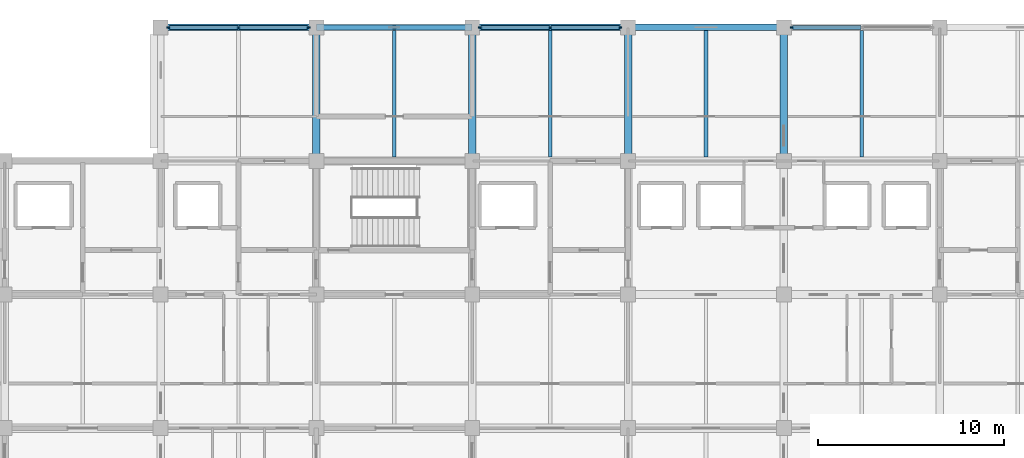
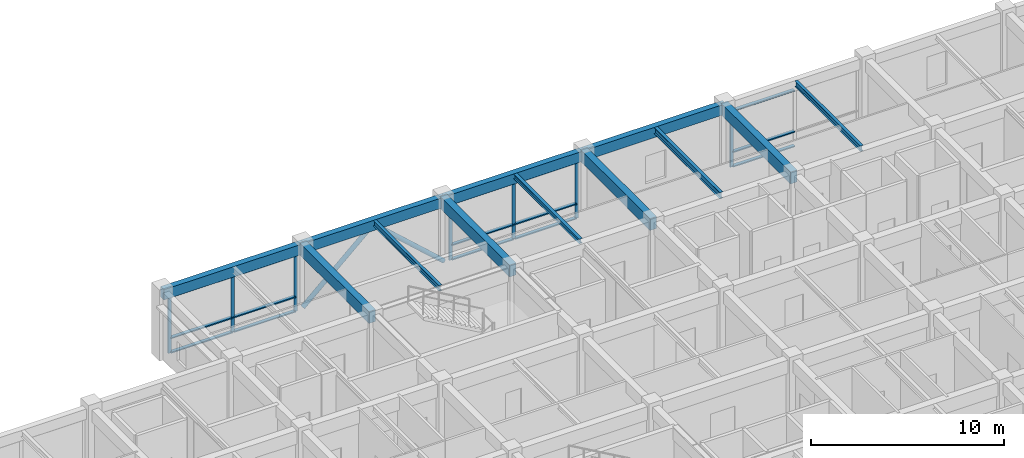
# One storey, part 7 of 30: 24 members, 12 beams, 3 elements without a shape of their own.
"""IFC4 building model written with IfcOpenShell, lengths in metres."""

import ifcopenshell
import ifcopenshell.guid

model = None  # the IFC model being written
_history = None  # IfcOwnerHistory: only IFC2X3 demands one
_inside = {}  # id of a spatial element -> (the spatial element, [elements in it])
_under = {}  # id of a project, library or spatial element -> (it, [spatial elements below it])
_declared = {}  # id of a project -> (the project, [libraries it declares])
_typed = {}  # id of a type object -> (the type object, [elements of that type])
_made_of = {}  # id of a material, layer set ... -> (it, [elements and type objects made of it])


def new_model(schema):
    """Start an empty IFC model of exactly this schema.

    Asked for "IFC4X3", IfcOpenShell would pick the latest addendum, in which some entities
    have other attributes; the version numbers below select the first issue.
    IFC2X3 requires an IfcOwnerHistory on every rooted entity: one is made here for all.
    """
    global model, _history
    if schema == "IFC4X3":
        model = ifcopenshell.file(schema_version=(4, 3, 0, 0))
    else:
        model = ifcopenshell.file(schema=schema)
    _inside.clear()
    _under.clear()
    _declared.clear()
    _typed.clear()
    _made_of.clear()
    _history = None
    if model.schema == "IFC2X3":
        org = make("IfcOrganization", Name="unknown")
        user = make(
            "IfcPersonAndOrganization",
            ThePerson=make("IfcPerson", FamilyName="unknown"),
            TheOrganization=org,
        )
        app = make(
            "IfcApplication",
            ApplicationDeveloper=org,
            Version="unknown",
            ApplicationFullName="unknown",
            ApplicationIdentifier="unknown",
        )
        _history = make(
            "IfcOwnerHistory",
            OwningUser=user,
            OwningApplication=app,
            ChangeAction="ADDED",
            CreationDate=0,
        )
    return model


def make(cls, **values):
    """One entity of the class cls with the attributes given. An attribute that is None is left unset."""
    return model.create_entity(
        cls, **{name: value for name, value in values.items() if value is not None}
    )


def rooted(cls, **values):
    """An entity with a GlobalId (a new one), such as an element, a storey or a relation."""
    return make(cls, GlobalId=ifcopenshell.guid.new(), OwnerHistory=_history, **values)


def si_unit(unit_type, name, prefix=None):
    """IfcSIUnit, for example si_unit("LENGTHUNIT", "METRE", prefix="MILLI")."""
    return make("IfcSIUnit", UnitType=unit_type, Prefix=prefix, Name=name)


def assignment(units):
    """IfcUnitAssignment: the units of a project."""
    return None if units is None else make("IfcUnitAssignment", Units=units)


def point(xyz):
    """IfcCartesianPoint."""
    return None if xyz is None else make("IfcCartesianPoint", Coordinates=xyz)


def direction(xyz):
    """IfcDirection."""
    return None if xyz is None else make("IfcDirection", DirectionRatios=xyz)


def frame(location, z_axis=None, x_axis=None):
    """IfcAxis2Placement3D, a coordinate frame: its origin and axes. An axis left out is left unset."""
    return make(
        "IfcAxis2Placement3D",
        Location=point(location),
        Axis=direction(z_axis),
        RefDirection=direction(x_axis),
    )


def frame_2d(location, x_axis=None):
    """IfcAxis2Placement2D, a coordinate frame in the plane: its origin and x axis."""
    return make(
        "IfcAxis2Placement2D", Location=point(location), RefDirection=direction(x_axis)
    )


def origin():
    """The frame at (0, 0, 0) with its axes left unset."""
    return frame((0.0, 0.0, 0.0))


def origin_2d():
    """The frame at (0, 0) in the plane with its x axis left unset."""
    return frame_2d((0.0, 0.0))


def place(relative_to, where):
    """IfcLocalPlacement: puts the frame where relative to a parent placement (None: the world)."""
    return make(
        "IfcLocalPlacement", PlacementRelTo=relative_to, RelativePlacement=where
    )


def context(
    kind, dimensions, precision=None, world=None, true_north=None, identifier=None
):
    """IfcGeometricRepresentationContext, for example the 3D "Model" context."""
    return make(
        "IfcGeometricRepresentationContext",
        ContextIdentifier=identifier,
        ContextType=kind,
        CoordinateSpaceDimension=dimensions,
        Precision=precision,
        WorldCoordinateSystem=world,
        TrueNorth=true_north,
    )


def subcontext(parent, identifier, kind, view, scale=None):
    """IfcGeometricRepresentationSubContext, for example "Body" below "Model"."""
    return make(
        "IfcGeometricRepresentationSubContext",
        ContextIdentifier=identifier,
        ContextType=kind,
        ParentContext=parent,
        TargetScale=scale,
        TargetView=view,
    )


def project(units=None, contexts=None):
    """IfcProject with its units and contexts."""
    return rooted(
        "IfcProject",
        Name="project",
        RepresentationContexts=contexts,
        UnitsInContext=assignment(units),
    )


def spatial(cls, under=None, at=None, **own):
    """A site, building, storey or space (cls), placed at a placement, below another one or the project."""
    s = rooted(cls, ObjectPlacement=at, **own)
    if under is not None:
        _under.setdefault(under.id(), (under, []))[1].append(s)
    return s


def profile(cls, at=None, kind="AREA", **sizes):
    """A parametric profile (cls). Its sizes go by their IFC names, for example OverallWidth=200.0."""
    return make(cls, ProfileType=kind, Position=at, **sizes)


def rectangle(**sizes):
    """IfcRectangleProfileDef."""
    return profile("IfcRectangleProfileDef", **sizes)


def hollow_circle(**sizes):
    """IfcCircleHollowProfileDef."""
    return profile("IfcCircleHollowProfileDef", **sizes)


def i_section(**sizes):
    """IfcIShapeProfileDef."""
    return profile("IfcIShapeProfileDef", **sizes)


def extrude(swept, where, along, depth):
    """IfcExtrudedAreaSolid: the profile swept, set in the frame where, extruded along a direction by depth."""
    return make(
        "IfcExtrudedAreaSolid",
        SweptArea=swept,
        Position=where,
        ExtrudedDirection=direction(along),
        Depth=depth,
    )


def shape(context_of_items, identifier, shape_type, items):
    """IfcShapeRepresentation: the items that make up one representation, for example the "Body"."""
    return make(
        "IfcShapeRepresentation",
        ContextOfItems=context_of_items,
        RepresentationIdentifier=identifier,
        RepresentationType=shape_type,
        Items=items,
    )


def material(Name=None, Category=None):
    """IfcMaterial."""
    return make("IfcMaterial", Name=Name, Category=Category)


def layer(
    of_material, thickness, ventilated=None, Name=None, Category=None, Priority=None
):
    """IfcMaterialLayer: one layer of a wall or slab, of a material (None: an air gap)."""
    return make(
        "IfcMaterialLayer",
        Material=of_material,
        LayerThickness=thickness,
        IsVentilated=ventilated,
        Name=Name,
        Category=Category,
        Priority=Priority,
    )


def layer_set(layers, Name=None):
    """IfcMaterialLayerSet."""
    return make("IfcMaterialLayerSet", MaterialLayers=layers, LayerSetName=Name)


def material_profile(
    of_material, cross_section, Name=None, Category=None, Priority=None
):
    """IfcMaterialProfile: a cross section and its material."""
    return make(
        "IfcMaterialProfile",
        Name=Name,
        Material=of_material,
        Profile=cross_section,
        Priority=Priority,
        Category=Category,
    )


def profile_set(profiles, Name=None, composite=None):
    """IfcMaterialProfileSet."""
    return make(
        "IfcMaterialProfileSet",
        Name=Name,
        MaterialProfiles=profiles,
        CompositeProfile=composite,
    )


def made_of(thing, what):
    """Note that an element or type object is made of a material, layer set ...; save() writes the relation."""
    if what is not None:
        _made_of.setdefault(what.id(), (what, []))[1].append(thing)
    return thing


def type_object(cls, material=None, **own):
    """A type object (cls), such as IfcWallType, which elements share."""
    return made_of(rooted(cls, **own), material)


def element(
    cls,
    number,
    at=None,
    inside=None,
    cuts=None,
    type_object=None,
    material=None,
    context=None,
    identifier="Body",
    shape_type=None,
    held_by="IfcProductDefinitionShape",
    body=None,
    shapes=None,
    **own,
):
    """One element of the class cls, such as IfcWall. Its Tag is "e" and its number.

    at: its placement. inside: the storey or other place that contains it. cuts: it is an
    opening in that element (IfcRelVoidsElement). A single representation is given by context,
    identifier, shape_type and body (its items); several are given by shapes. held_by: the class
    of the entity that holds the representations. save() writes the other relations.
    """
    e = rooted(cls, Tag="e%d" % number, ObjectPlacement=at, **own)
    if body is not None:
        shapes = [shape(context, identifier, shape_type, body)]
    if shapes is not None:
        e.Representation = make(held_by, Representations=shapes)
    if inside is not None:
        _inside.setdefault(inside.id(), (inside, []))[1].append(e)
    if cuts is not None:
        rooted(
            "IfcRelVoidsElement", RelatingBuildingElement=cuts, RelatedOpeningElement=e
        )
    if type_object is not None:
        _typed.setdefault(type_object.id(), (type_object, []))[1].append(e)
    return made_of(e, material)


def aggregate(whole, parts):
    """IfcRelAggregates: a whole, such as a stair, and the parts it consists of."""
    return rooted("IfcRelAggregates", RelatingObject=whole, RelatedObjects=parts)


def save(model, path):
    """Write the relations noted so far, then the file.

    IfcRelAggregates (storeys below a building ...), IfcRelContainedInSpatialStructure (elements
    in a storey), IfcRelDefinesByType, IfcRelAssociatesMaterial and IfcRelDeclares: one each for
    every whole, place, type object, material and project.
    """
    for whole, parts in _under.values():
        aggregate(whole, parts)
    for where, things in _inside.values():
        rooted(
            "IfcRelContainedInSpatialStructure",
            RelatedElements=things,
            RelatingStructure=where,
        )
    for kind, things in _typed.values():
        rooted("IfcRelDefinesByType", RelatedObjects=things, RelatingType=kind)
    for what, things in _made_of.values():
        rooted("IfcRelAssociatesMaterial", RelatedObjects=things, RelatingMaterial=what)
    for by, libraries in _declared.values():
        rooted("IfcRelDeclares", RelatingContext=by, RelatedDefinitions=libraries)
    model.write(path)


model = new_model("IFC4")

# Units and contexts
model_context = context("Model", 3, precision=1e-05, world=origin(), true_north=direction((0.0, 1.0)))
body_context = subcontext(model_context, "Body", "Model", "MODEL_VIEW")
ifc_project = project(units=[si_unit("LENGTHUNIT", "METRE"), si_unit("AREAUNIT", "SQUARE_METRE"), si_unit("VOLUMEUNIT", "CUBIC_METRE"), si_unit("PLANEANGLEUNIT", "RADIAN"), si_unit("MASSUNIT", "GRAM", prefix="KILO")], contexts=[model_context])

# Site, building, storey
site_placement = place(None, origin())
site = spatial("IfcSite", under=ifc_project, at=site_placement, CompositionType="ELEMENT")
building_placement = place(site_placement, origin())
building = spatial("IfcBuilding", under=site, at=building_placement, Name="Chengyuan Square Courthouse", CompositionType="ELEMENT")
storey_placement = place(building_placement, frame((0.0, 0.0, 30.60009765625)))
storey = spatial("IfcBuildingStorey", under=building, at=storey_placement, Name="L07", CompositionType="ELEMENT", Elevation=30.60009765625)

# Beams
ifc_material_1 = material(Name="Concrete C40", Category="concrete")
ifc_material_profile_1 = material_profile(ifc_material_1, rectangle(XDim=0.39990234375, YDim=0.75, at=origin_2d()), Name="RC-BM-400x750")
ifc_profile_set_1 = profile_set([ifc_material_profile_1], Name="Concrete C40")
beam_type_1 = type_object("IfcBeamType", Name="BM-02", PredefinedType="USERDEFINED", material=ifc_profile_set_1)
for number, where, z_axis, x_axis, name in (
    (1, (58.800048828125, 108.0, 3.864990234375), (0.0, 1.0, 0.0), (-1.0, 0.0, 0.0), "Girder BM-L07-3669"),
    (2, (67.199951171875, 108.0, 3.864990234375), (0.0, 1.0, 0.0), (-1.0, 0.0, 0.0), "Girder BM-L07-3674"),
    (3, (75.60009765625, 108.0, 3.864990234375), (0.0, 1.0, 0.0), (-1.0, 0.0, 0.0), "Girder BM-L07-3679"),
    (4, (84.0, 108.0, 3.864990234375), (0.0, 1.0, 0.0), (-1.0, 0.0, 0.0), "Girder BM-L07-3684"),
):
    element("IfcBeam", number, at=place(storey_placement, frame(where, z_axis=z_axis, x_axis=x_axis)), inside=storey, type_object=beam_type_1, Name=name, ObjectType="GIRDER", PredefinedType="USERDEFINED", context=body_context, shape_type="SweptSolid", body=[
        extrude(rectangle(XDim=0.39990234375, YDim=0.75, at=origin_2d()), origin(), (0.0, 0.0, 1.0), 7.199951171875),
    ])
ifc_material_profile_2 = material_profile(ifc_material_1, rectangle(XDim=0.35009765625, YDim=0.64990234375, at=origin_2d()), Name="RC-BM-350x650")
ifc_profile_set_2 = profile_set([ifc_material_profile_2], Name="Concrete C40")
beam_type_2 = type_object("IfcBeamType", Name="BM-03", PredefinedType="SPANDREL", material=ifc_profile_set_2)
beam_1_placement = place(storey_placement, frame((50.39990234375, 115.199951171875, 3.914794921875), z_axis=(1.0, 0.0, 0.0), x_axis=(0.0, 1.0, 0.0)))
element("IfcBeam", 5, at=beam_1_placement, inside=storey, type_object=beam_type_2, Name="Girder BM-L07-3643", PredefinedType="SPANDREL", context=body_context, shape_type="SweptSolid", body=[
    extrude(rectangle(XDim=0.35009765625, YDim=0.64990234375, at=origin_2d()), origin(), (0.0, 0.0, 1.0), 8.400146484375),
])
beam_2_placement = place(storey_placement, frame((58.800048828125, 115.199951171875, 3.914794921875), z_axis=(1.0, 0.0, 0.0), x_axis=(0.0, 1.0, 0.0)))
element("IfcBeam", 6, at=beam_2_placement, inside=storey, type_object=beam_type_2, Name="Girder BM-L07-3644", PredefinedType="SPANDREL", context=body_context, shape_type="SweptSolid", body=[
    extrude(rectangle(XDim=0.35009765625, YDim=0.64990234375, at=origin_2d()), origin(), (0.0, 0.0, 1.0), 8.39990234375),
])
beam_3_placement = place(storey_placement, frame((67.199951171875, 115.199951171875, 3.914794921875), z_axis=(1.0, 0.0, 0.0), x_axis=(0.0, 1.0, 0.0)))
element("IfcBeam", 7, at=beam_3_placement, inside=storey, type_object=beam_type_2, Name="Girder BM-L07-3645", PredefinedType="SPANDREL", context=body_context, shape_type="SweptSolid", body=[
    extrude(rectangle(XDim=0.35009765625, YDim=0.64990234375, at=origin_2d()), origin(), (0.0, 0.0, 1.0), 8.400146484375),
])
beam_4_placement = place(storey_placement, frame((75.60009765625, 115.199951171875, 3.914794921875), z_axis=(1.0, 0.0, 0.0), x_axis=(0.0, 1.0, 0.0)))
element("IfcBeam", 8, at=beam_4_placement, inside=storey, type_object=beam_type_2, Name="Girder BM-L07-3646", PredefinedType="SPANDREL", context=body_context, shape_type="SweptSolid", body=[
    extrude(rectangle(XDim=0.35009765625, YDim=0.64990234375, at=origin_2d()), origin(), (0.0, 0.0, 1.0), 8.39990234375),
])
ifc_material_2 = material(Name="Steel Q355B", Category="steel")
ifc_material_profile_3 = material_profile(ifc_material_2, i_section(OverallWidth=0.199951171875, OverallDepth=0.39990234375, WebThickness=0.008056640625, FlangeThickness=0.012939453125, at=origin_2d()), Name="HN 400x200x8x13")
ifc_profile_set_3 = profile_set([ifc_material_profile_3], Name="Steel Q355B")
beam_type_3 = type_object("IfcBeamType", Name="BM-07", PredefinedType="BEAM", material=ifc_profile_set_3)
beam_5_placement = place(storey_placement, frame((79.800048828125, 108.22509765625, 4.039794921875), z_axis=(0.0, 1.0, 0.0), x_axis=(-1.0, 0.0, 0.0)))
element("IfcBeam", 9, at=beam_5_placement, inside=storey, type_object=beam_type_3, Name="Secondary Floor Beam SBM-L07-3740", PredefinedType="BEAM", context=body_context, shape_type="SweptSolid", body=[
    extrude(i_section(OverallWidth=0.199951171875, OverallDepth=0.39990234375, WebThickness=0.008056640625, FlangeThickness=0.012939453125, at=origin_2d()), origin(), (0.0, 0.0, 1.0), 6.7998046875),
])
ifc_material_profile_4 = material_profile(ifc_material_2, i_section(OverallWidth=0.175048828125, OverallDepth=0.35009765625, WebThickness=0.007080078125, FlangeThickness=0.010986328125, at=origin_2d()), Name="HN 350x175x7x11")
ifc_profile_set_4 = profile_set([ifc_material_profile_4], Name="Steel Q355B")
beam_type_4 = type_object("IfcBeamType", Name="BM-08", PredefinedType="BEAM", material=ifc_profile_set_4)
for number, where, z_axis, x_axis, name in (
    (10, (63.0, 108.22509765625, 4.06494140625), (0.0, 1.0, 0.0), (-1.0, 0.0, 0.0), "Secondary Floor Beam SBM-L07-3732"),
    (11, (88.199951171875, 108.22509765625, 4.06494140625), (0.0, 1.0, 0.0), (-1.0, 0.0, 0.0), "Secondary Floor Beam SBM-L07-3744"),
):
    element("IfcBeam", number, at=place(storey_placement, frame(where, z_axis=z_axis, x_axis=x_axis)), inside=storey, type_object=beam_type_4, Name=name, PredefinedType="BEAM", context=body_context, shape_type="SweptSolid", body=[
        extrude(i_section(OverallWidth=0.175048828125, OverallDepth=0.35009765625, WebThickness=0.007080078125, FlangeThickness=0.010986328125, at=origin_2d()), origin(), (0.0, 0.0, 1.0), 6.7998046875),
    ])
ifc_material_profile_5 = material_profile(ifc_material_2, i_section(OverallWidth=0.199951171875, OverallDepth=0.300048828125, WebThickness=0.008056640625, FlangeThickness=0.011962890625, at=origin_2d()), Name="HM 300x200x8x12")
ifc_profile_set_5 = profile_set([ifc_material_profile_5], Name="Steel Q355B")
beam_type_5 = type_object("IfcBeamType", Name="BM-09", PredefinedType="BEAM", material=ifc_profile_set_5)
beam_6_placement = place(storey_placement, frame((71.39990234375, 108.22509765625, 4.08984375), z_axis=(0.0, 1.0, 0.0), x_axis=(-1.0, 0.0, 0.0)))
element("IfcBeam", 12, at=beam_6_placement, inside=storey, type_object=beam_type_5, Name="Secondary Floor Beam SBM-L07-3736", PredefinedType="BEAM", context=body_context, shape_type="SweptSolid", body=[
    extrude(i_section(OverallWidth=0.199951171875, OverallDepth=0.300048828125, WebThickness=0.008056640625, FlangeThickness=0.011962890625, at=origin_2d()), origin(), (0.0, 0.0, 1.0), 6.7998046875),
])

# Members
ifc_material_profile_6 = material_profile(ifc_material_2, hollow_circle(Radius=0.136474609375, WallThickness=0.010009765625, at=origin_2d()), Name="CHS 273x10")
ifc_profile_set_6 = profile_set([ifc_material_profile_6], Name="Steel Q355B")
member_type_1 = type_object("IfcMemberType", Name="BR-01", PredefinedType="BRACE", material=ifc_profile_set_6)
for number, where, z_axis, x_axis, name in (
    (13, (58.800048828125, 115.199951171875, 0.099853515625), (0.742407252639, 0.0, 0.669948857174), (0.0, 1.0, 0.0), "Steel Chevron Brace BR-L07-025"),
    (14, (67.199951171875, 115.199951171875, 0.099853515625), (-0.742407252639, 0.0, 0.669948857174), (0.0, -1.0, 0.0), "Steel Chevron Brace BR-L07-026"),
):
    element("IfcMember", number, at=place(storey_placement, frame(where, z_axis=z_axis, x_axis=x_axis)), inside=storey, type_object=member_type_1, Name=name, PredefinedType="BRACE", context=body_context, shape_type="SweptSolid", body=[
        extrude(hollow_circle(Radius=0.136474609375, WallThickness=0.010009765625, at=origin_2d()), origin(), (0.0, 0.0, 1.0), 5.6572265625),
    ])

# Curtain wall, members
ifc_material_3 = material(Name="Unitised Aluminium and Triple Low-E Glass", Category="aluminium")
ifc_layer = layer(ifc_material_3, 0.199951171875)
ifc_layer_set = layer_set([ifc_layer], Name="Unitised Aluminium and Triple Low-E Glass")
curtain_wall_type = type_object("IfcCurtainWallType", Name="CW-19", PredefinedType="USERDEFINED", material=ifc_layer_set)
curtain_wall_1_placement = place(storey_placement, origin())
curtain_wall_1 = element("IfcCurtainWall", 15, at=curtain_wall_1_placement, inside=storey, type_object=curtain_wall_type, Name="Unitised Curtain Wall CW-L07-207", ObjectType="UNITISED CURTAIN WALL", PredefinedType="USERDEFINED")
ifc_material_4 = material(Name="Aluminium 6063-T6 Frame", Category="aluminium")
ifc_material_profile_7 = material_profile(ifc_material_4, rectangle(XDim=0.070068359375, YDim=0.199951171875, at=origin_2d()), Name="CW-MUL-70x200")
ifc_profile_set_7 = profile_set([ifc_material_profile_7], Name="Aluminium 6063-T6 Frame")
member_type_2 = type_object("IfcMemberType", Name="CWM-03", PredefinedType="MULLION", material=ifc_profile_set_7)
member_1_placement = place(storey_placement, frame((50.8349609375, 115.199951171875, 0.0), z_axis=(0.0, 0.0, 1.0), x_axis=(0.0, 1.0, 0.0)))
member_1 = element("IfcMember", 16, at=member_1_placement, type_object=member_type_2, Name="CW-19 mullion 1", PredefinedType="MULLION", context=body_context, shape_type="SweptSolid", body=[
    extrude(rectangle(XDim=0.070068359375, YDim=0.199951171875, at=origin_2d()), origin(), (0.0, 0.0, 1.0), 3.58984375),
])
member_2_placement = place(storey_placement, frame((54.60009765625, 115.199951171875, 0.0), z_axis=(0.0, 0.0, 1.0), x_axis=(0.0, 1.0, 0.0)))
member_2 = element("IfcMember", 17, at=member_2_placement, type_object=member_type_2, Name="CW-19 mullion 2", PredefinedType="MULLION", context=body_context, shape_type="SweptSolid", body=[
    extrude(rectangle(XDim=0.070068359375, YDim=0.199951171875, at=origin_2d()), origin(), (0.0, 0.0, 1.0), 3.58984375),
])
member_3_placement = place(storey_placement, frame((58.364990234375, 115.199951171875, 0.0), z_axis=(0.0, 0.0, 1.0), x_axis=(0.0, 1.0, 0.0)))
member_3 = element("IfcMember", 18, at=member_3_placement, type_object=member_type_2, Name="CW-19 mullion 3", PredefinedType="MULLION", context=body_context, shape_type="SweptSolid", body=[
    extrude(rectangle(XDim=0.070068359375, YDim=0.199951171875, at=origin_2d()), origin(), (0.0, 0.0, 1.0), 3.58984375),
])

curtain_wall_2_placement = place(storey_placement, origin())
curtain_wall_2 = element("IfcCurtainWall", 19, at=curtain_wall_2_placement, inside=storey, type_object=curtain_wall_type, Name="Unitised Curtain Wall CW-L07-210", ObjectType="UNITISED CURTAIN WALL", PredefinedType="USERDEFINED")
member_4_placement = place(storey_placement, frame((67.635009765625, 115.199951171875, 0.0), z_axis=(0.0, 0.0, 1.0), x_axis=(0.0, 1.0, 0.0)))
member_4 = element("IfcMember", 20, at=member_4_placement, type_object=member_type_2, Name="CW-19 mullion 1", PredefinedType="MULLION", context=body_context, shape_type="SweptSolid", body=[
    extrude(rectangle(XDim=0.070068359375, YDim=0.199951171875, at=origin_2d()), origin(), (0.0, 0.0, 1.0), 3.58984375),
])
member_5_placement = place(storey_placement, frame((71.39990234375, 115.199951171875, 0.0), z_axis=(0.0, 0.0, 1.0), x_axis=(0.0, 1.0, 0.0)))
member_5 = element("IfcMember", 21, at=member_5_placement, type_object=member_type_2, Name="CW-19 mullion 2", PredefinedType="MULLION", context=body_context, shape_type="SweptSolid", body=[
    extrude(rectangle(XDim=0.070068359375, YDim=0.199951171875, at=origin_2d()), origin(), (0.0, 0.0, 1.0), 3.58984375),
])
member_6_placement = place(storey_placement, frame((75.1650390625, 115.199951171875, 0.0), z_axis=(0.0, 0.0, 1.0), x_axis=(0.0, 1.0, 0.0)))
member_6 = element("IfcMember", 22, at=member_6_placement, type_object=member_type_2, Name="CW-19 mullion 3", PredefinedType="MULLION", context=body_context, shape_type="SweptSolid", body=[
    extrude(rectangle(XDim=0.070068359375, YDim=0.199951171875, at=origin_2d()), origin(), (0.0, 0.0, 1.0), 3.58984375),
])

# Curtain wall, member
curtain_wall_3_placement = place(storey_placement, origin())
curtain_wall_3 = element("IfcCurtainWall", 23, at=curtain_wall_3_placement, inside=storey, type_object=curtain_wall_type, Name="Unitised Curtain Wall CW-L07-213", ObjectType="UNITISED CURTAIN WALL", PredefinedType="USERDEFINED")
member_7_placement = place(storey_placement, frame((84.43505859375, 115.199951171875, 0.0), z_axis=(0.0, 0.0, 1.0), x_axis=(0.0, 1.0, 0.0)))
member_7 = element("IfcMember", 24, at=member_7_placement, type_object=member_type_2, Name="CW-19 mullion 1", PredefinedType="MULLION", context=body_context, shape_type="SweptSolid", body=[
    extrude(rectangle(XDim=0.070068359375, YDim=0.199951171875, at=origin_2d()), origin(), (0.0, 0.0, 1.0), 3.58984375),
])

# Member
ifc_material_profile_8 = material_profile(ifc_material_4, rectangle(XDim=0.199951171875, YDim=0.070068359375, at=origin_2d()), Name="CW-TRN-70x160")
ifc_profile_set_8 = profile_set([ifc_material_profile_8], Name="Aluminium 6063-T6 Frame")
member_type_3 = type_object("IfcMemberType", Name="CWT-03", PredefinedType="USERDEFINED", material=ifc_profile_set_8)
member_8_placement = place(storey_placement, frame((50.8701171875, 115.199951171875, 0.034912109375), z_axis=(1.0, 0.0, 0.0), x_axis=(0.0, 1.0, 0.0)))
member_8 = element("IfcMember", 25, at=member_8_placement, type_object=member_type_3, Name="CW-19 transom 1.1", ObjectType="TRANSOM", PredefinedType="USERDEFINED", context=body_context, shape_type="SweptSolid", body=[
    extrude(rectangle(XDim=0.199951171875, YDim=0.070068359375, at=origin_2d()), origin(), (0.0, 0.0, 1.0), 3.69482421875),
])

member_9_placement = place(storey_placement, frame((50.8701171875, 115.199951171875, 0.949951171875), z_axis=(1.0, 0.0, 0.0), x_axis=(0.0, 1.0, 0.0)))
member_9 = element("IfcMember", 26, at=member_9_placement, type_object=member_type_3, Name="CW-19 transom 1.2", ObjectType="TRANSOM", PredefinedType="USERDEFINED", context=body_context, shape_type="SweptSolid", body=[
    extrude(rectangle(XDim=0.199951171875, YDim=0.070068359375, at=origin_2d()), origin(), (0.0, 0.0, 1.0), 3.69482421875),
])

member_10_placement = place(storey_placement, frame((50.8701171875, 115.199951171875, 3.554931640625), z_axis=(1.0, 0.0, 0.0), x_axis=(0.0, 1.0, 0.0)))
member_10 = element("IfcMember", 27, at=member_10_placement, type_object=member_type_3, Name="CW-19 transom 1.3", ObjectType="TRANSOM", PredefinedType="USERDEFINED", context=body_context, shape_type="SweptSolid", body=[
    extrude(rectangle(XDim=0.199951171875, YDim=0.070068359375, at=origin_2d()), origin(), (0.0, 0.0, 1.0), 3.69482421875),
])

member_11_placement = place(storey_placement, frame((54.635009765625, 115.199951171875, 0.034912109375), z_axis=(1.0, 0.0, 0.0), x_axis=(0.0, 1.0, 0.0)))
member_11 = element("IfcMember", 28, at=member_11_placement, type_object=member_type_3, Name="CW-19 transom 2.1", ObjectType="TRANSOM", PredefinedType="USERDEFINED", context=body_context, shape_type="SweptSolid", body=[
    extrude(rectangle(XDim=0.199951171875, YDim=0.070068359375, at=origin_2d()), origin(), (0.0, 0.0, 1.0), 3.695068359375),
])

member_12_placement = place(storey_placement, frame((54.635009765625, 115.199951171875, 0.949951171875), z_axis=(1.0, 0.0, 0.0), x_axis=(0.0, 1.0, 0.0)))
member_12 = element("IfcMember", 29, at=member_12_placement, type_object=member_type_3, Name="CW-19 transom 2.2", ObjectType="TRANSOM", PredefinedType="USERDEFINED", context=body_context, shape_type="SweptSolid", body=[
    extrude(rectangle(XDim=0.199951171875, YDim=0.070068359375, at=origin_2d()), origin(), (0.0, 0.0, 1.0), 3.695068359375),
])

member_13_placement = place(storey_placement, frame((54.635009765625, 115.199951171875, 3.554931640625), z_axis=(1.0, 0.0, 0.0), x_axis=(0.0, 1.0, 0.0)))
member_13 = element("IfcMember", 30, at=member_13_placement, type_object=member_type_3, Name="CW-19 transom 2.3", ObjectType="TRANSOM", PredefinedType="USERDEFINED", context=body_context, shape_type="SweptSolid", body=[
    extrude(rectangle(XDim=0.199951171875, YDim=0.070068359375, at=origin_2d()), origin(), (0.0, 0.0, 1.0), 3.695068359375),
])

aggregate(curtain_wall_1, [member_1, member_2, member_3, member_8, member_9, member_10, member_11, member_12, member_13])

member_14_placement = place(storey_placement, frame((67.669921875, 115.199951171875, 0.034912109375), z_axis=(1.0, 0.0, 0.0), x_axis=(0.0, 1.0, 0.0)))
member_14 = element("IfcMember", 31, at=member_14_placement, type_object=member_type_3, Name="CW-19 transom 1.1", ObjectType="TRANSOM", PredefinedType="USERDEFINED", context=body_context, shape_type="SweptSolid", body=[
    extrude(rectangle(XDim=0.199951171875, YDim=0.070068359375, at=origin_2d()), origin(), (0.0, 0.0, 1.0), 3.695068359375),
])

member_15_placement = place(storey_placement, frame((67.669921875, 115.199951171875, 0.949951171875), z_axis=(1.0, 0.0, 0.0), x_axis=(0.0, 1.0, 0.0)))
member_15 = element("IfcMember", 32, at=member_15_placement, type_object=member_type_3, Name="CW-19 transom 1.2", ObjectType="TRANSOM", PredefinedType="USERDEFINED", context=body_context, shape_type="SweptSolid", body=[
    extrude(rectangle(XDim=0.199951171875, YDim=0.070068359375, at=origin_2d()), origin(), (0.0, 0.0, 1.0), 3.695068359375),
])

member_16_placement = place(storey_placement, frame((67.669921875, 115.199951171875, 3.554931640625), z_axis=(1.0, 0.0, 0.0), x_axis=(0.0, 1.0, 0.0)))
member_16 = element("IfcMember", 33, at=member_16_placement, type_object=member_type_3, Name="CW-19 transom 1.3", ObjectType="TRANSOM", PredefinedType="USERDEFINED", context=body_context, shape_type="SweptSolid", body=[
    extrude(rectangle(XDim=0.199951171875, YDim=0.070068359375, at=origin_2d()), origin(), (0.0, 0.0, 1.0), 3.695068359375),
])

member_17_placement = place(storey_placement, frame((71.43505859375, 115.199951171875, 0.034912109375), z_axis=(1.0, 0.0, 0.0), x_axis=(0.0, 1.0, 0.0)))
member_17 = element("IfcMember", 34, at=member_17_placement, type_object=member_type_3, Name="CW-19 transom 2.1", ObjectType="TRANSOM", PredefinedType="USERDEFINED", context=body_context, shape_type="SweptSolid", body=[
    extrude(rectangle(XDim=0.199951171875, YDim=0.070068359375, at=origin_2d()), origin(), (0.0, 0.0, 1.0), 3.69482421875),
])

member_18_placement = place(storey_placement, frame((71.43505859375, 115.199951171875, 0.949951171875), z_axis=(1.0, 0.0, 0.0), x_axis=(0.0, 1.0, 0.0)))
member_18 = element("IfcMember", 35, at=member_18_placement, type_object=member_type_3, Name="CW-19 transom 2.2", ObjectType="TRANSOM", PredefinedType="USERDEFINED", context=body_context, shape_type="SweptSolid", body=[
    extrude(rectangle(XDim=0.199951171875, YDim=0.070068359375, at=origin_2d()), origin(), (0.0, 0.0, 1.0), 3.69482421875),
])

member_19_placement = place(storey_placement, frame((71.43505859375, 115.199951171875, 3.554931640625), z_axis=(1.0, 0.0, 0.0), x_axis=(0.0, 1.0, 0.0)))
member_19 = element("IfcMember", 36, at=member_19_placement, type_object=member_type_3, Name="CW-19 transom 2.3", ObjectType="TRANSOM", PredefinedType="USERDEFINED", context=body_context, shape_type="SweptSolid", body=[
    extrude(rectangle(XDim=0.199951171875, YDim=0.070068359375, at=origin_2d()), origin(), (0.0, 0.0, 1.0), 3.69482421875),
])

aggregate(curtain_wall_2, [member_4, member_5, member_6, member_14, member_15, member_16, member_17, member_18, member_19])

member_20_placement = place(storey_placement, frame((84.469970703125, 115.199951171875, 0.034912109375), z_axis=(1.0, 0.0, 0.0), x_axis=(0.0, 1.0, 0.0)))
member_20 = element("IfcMember", 37, at=member_20_placement, type_object=member_type_3, Name="CW-19 transom 1.1", ObjectType="TRANSOM", PredefinedType="USERDEFINED", context=body_context, shape_type="SweptSolid", body=[
    extrude(rectangle(XDim=0.199951171875, YDim=0.070068359375, at=origin_2d()), origin(), (0.0, 0.0, 1.0), 3.695068359375),
])

member_21_placement = place(storey_placement, frame((84.469970703125, 115.199951171875, 0.949951171875), z_axis=(1.0, 0.0, 0.0), x_axis=(0.0, 1.0, 0.0)))
member_21 = element("IfcMember", 38, at=member_21_placement, type_object=member_type_3, Name="CW-19 transom 1.2", ObjectType="TRANSOM", PredefinedType="USERDEFINED", context=body_context, shape_type="SweptSolid", body=[
    extrude(rectangle(XDim=0.199951171875, YDim=0.070068359375, at=origin_2d()), origin(), (0.0, 0.0, 1.0), 3.695068359375),
])

member_22_placement = place(storey_placement, frame((84.469970703125, 115.199951171875, 3.554931640625), z_axis=(1.0, 0.0, 0.0), x_axis=(0.0, 1.0, 0.0)))
member_22 = element("IfcMember", 39, at=member_22_placement, type_object=member_type_3, Name="CW-19 transom 1.3", ObjectType="TRANSOM", PredefinedType="USERDEFINED", context=body_context, shape_type="SweptSolid", body=[
    extrude(rectangle(XDim=0.199951171875, YDim=0.070068359375, at=origin_2d()), origin(), (0.0, 0.0, 1.0), 3.695068359375),
])

aggregate(curtain_wall_3, [member_7, member_20, member_21, member_22])

save(model, "model.ifc")
